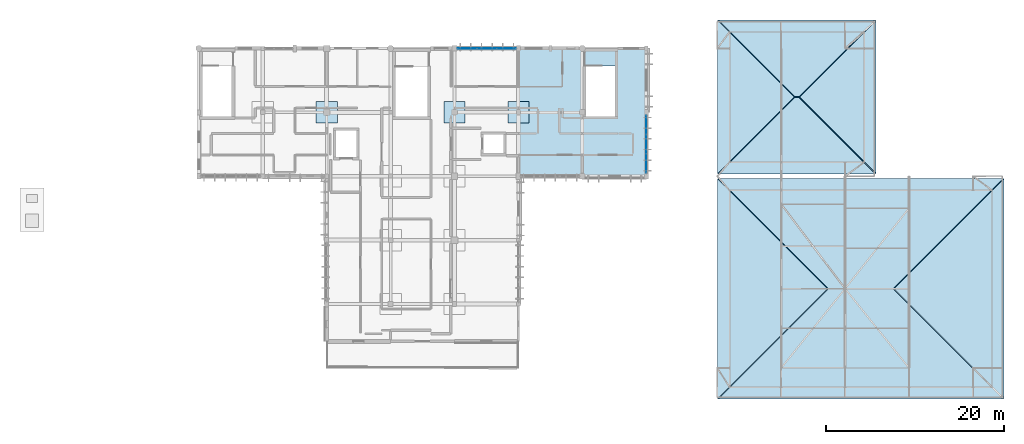
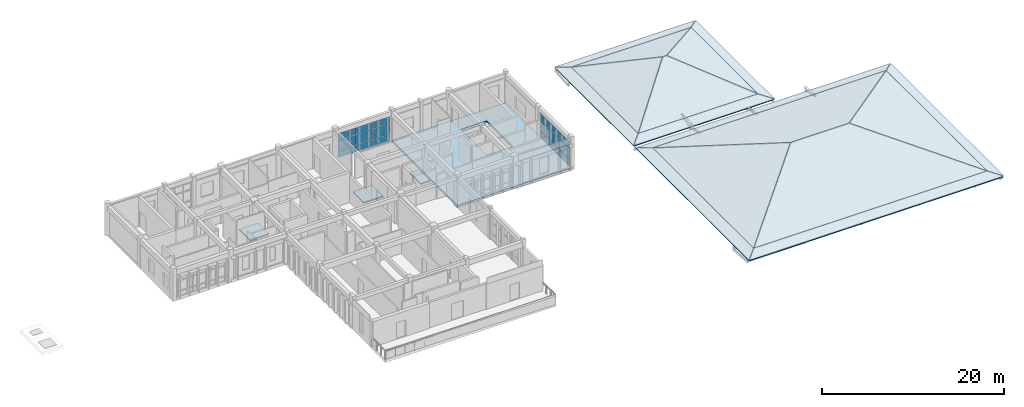
# One storey, part 12 of 19: 20 slabs, 18 plates, 4 elements without a shape of their own.
"""IFC4 building model written with IfcOpenShell, lengths in metres."""

from ifc_helpers import new_model, si_unit, direction, frame, origin, origin_2d, place, context, subcontext, project, spatial, polyline, rectangle, outline, extrude, material, layer, layer_set, type_object, element, aggregate, save


model = new_model("IFC4")

# Units and contexts
model_context = context("Model", 3, precision=1e-05, world=origin(), true_north=direction((0.0, 1.0)))
body_context = subcontext(model_context, "Body", "Model", "MODEL_VIEW")
ifc_project = project(units=[si_unit("LENGTHUNIT", "METRE"), si_unit("AREAUNIT", "SQUARE_METRE"), si_unit("VOLUMEUNIT", "CUBIC_METRE"), si_unit("PLANEANGLEUNIT", "RADIAN"), si_unit("MASSUNIT", "GRAM", prefix="KILO")], contexts=[model_context])

# Site, building, storey
site_placement = place(None, origin())
site = spatial("IfcSite", under=ifc_project, at=site_placement, CompositionType="ELEMENT")
building_placement = place(site_placement, origin())
building = spatial("IfcBuilding", under=site, at=building_placement, Name="Steenspoor Specialist Clinic", CompositionType="ELEMENT")
storey_placement = place(building_placement, frame((0.0, 0.0, 21.60009765625)))
storey = spatial("IfcBuildingStorey", under=building, at=storey_placement, Name="L05", CompositionType="ELEMENT", Elevation=21.60009765625)

# Curtain wall, plates
ifc_material_1 = material(Name="Thermally broken aluminium and low-emissivity glass", Category="aluminium")
curtain_wall_type_1 = type_object("IfcCurtainWallType", Name="CW-TYP-300X355", PredefinedType="USERDEFINED", material=ifc_material_1)
curtain_wall_1_placement = place(storey_placement, origin())
curtain_wall_1 = element("IfcCurtainWall", 1, at=curtain_wall_1_placement, inside=storey, type_object=curtain_wall_type_1, Name="Unitised Curtain Wall CW-V4-L05-135", ObjectType="UNITISED GLAZING", PredefinedType="USERDEFINED")
ifc_material_2 = material(Name="Double low-emissivity insulated glass", Category="glass")
ifc_layer_1 = layer(ifc_material_2, 0.035888671875)
ifc_layer_set_1 = layer_set([ifc_layer_1], Name="Double low-emissivity insulated glass")
plate_type_1 = type_object("IfcPlateType", Name="CW-PAN-GL36", PredefinedType="CURTAIN_PANEL", material=ifc_layer_set_1)
plate_1_placement = place(storey_placement, frame((89.828857421875, 108.35009765625, 0.080078125), z_axis=(0.0, 0.0, 1.0), x_axis=(1.0, 0.0, 0.0)))
plate_1 = element("IfcPlate", 2, at=plate_1_placement, type_object=plate_type_1, Name="CW-15 panel 1.1", PredefinedType="CURTAIN_PANEL", context=body_context, shape_type="SweptSolid", body=[
    extrude(rectangle(XDim=2.12744140625, YDim=0.035888671875, at=origin_2d()), origin(), (0.0, 0.0, 1.0), 0.780029296875),
])
plate_2_placement = place(storey_placement, frame((89.828857421875, 108.35009765625, 0.93994140625), z_axis=(0.0, 0.0, 1.0), x_axis=(1.0, 0.0, 0.0)))
plate_2 = element("IfcPlate", 3, at=plate_2_placement, type_object=plate_type_1, Name="CW-15 panel 1.2", PredefinedType="CURTAIN_PANEL", context=body_context, shape_type="SweptSolid", body=[
    extrude(rectangle(XDim=2.12744140625, YDim=0.035888671875, at=origin_2d()), origin(), (0.0, 0.0, 1.0), 1.3701171875),
])
plate_3_placement = place(storey_placement, frame((89.828857421875, 108.35009765625, 2.39013671875), z_axis=(0.0, 0.0, 1.0), x_axis=(1.0, 0.0, 0.0)))
plate_3 = element("IfcPlate", 4, at=plate_3_placement, type_object=plate_type_1, Name="CW-15 panel 1.3", PredefinedType="CURTAIN_PANEL", context=body_context, shape_type="SweptSolid", body=[
    extrude(rectangle(XDim=2.12744140625, YDim=0.035888671875, at=origin_2d()), origin(), (0.0, 0.0, 1.0), 0.909912109375),
])
plate_4_placement = place(storey_placement, frame((92.03759765625, 108.35009765625, 0.080078125), z_axis=(0.0, 0.0, 1.0), x_axis=(1.0, 0.0, 0.0)))
plate_4 = element("IfcPlate", 5, at=plate_4_placement, type_object=plate_type_1, Name="CW-15 panel 2.1", PredefinedType="CURTAIN_PANEL", context=body_context, shape_type="SweptSolid", body=[
    extrude(rectangle(XDim=2.159912109375, YDim=0.035888671875, at=origin_2d()), origin(), (0.0, 0.0, 1.0), 0.780029296875),
])
plate_5_placement = place(storey_placement, frame((92.03759765625, 108.35009765625, 0.93994140625), z_axis=(0.0, 0.0, 1.0), x_axis=(1.0, 0.0, 0.0)))
plate_5 = element("IfcPlate", 6, at=plate_5_placement, type_object=plate_type_1, Name="CW-15 panel 2.2", PredefinedType="CURTAIN_PANEL", context=body_context, shape_type="SweptSolid", body=[
    extrude(rectangle(XDim=2.159912109375, YDim=0.035888671875, at=origin_2d()), origin(), (0.0, 0.0, 1.0), 1.3701171875),
])
plate_6_placement = place(storey_placement, frame((92.03759765625, 108.35009765625, 2.39013671875), z_axis=(0.0, 0.0, 1.0), x_axis=(1.0, 0.0, 0.0)))
plate_6 = element("IfcPlate", 7, at=plate_6_placement, type_object=plate_type_1, Name="CW-15 panel 2.3", PredefinedType="CURTAIN_PANEL", context=body_context, shape_type="SweptSolid", body=[
    extrude(rectangle(XDim=2.159912109375, YDim=0.035888671875, at=origin_2d()), origin(), (0.0, 0.0, 1.0), 0.909912109375),
])
plate_7_placement = place(storey_placement, frame((94.246337890625, 108.35009765625, 0.080078125), z_axis=(0.0, 0.0, 1.0), x_axis=(1.0, 0.0, 0.0)))
plate_7 = element("IfcPlate", 8, at=plate_7_placement, type_object=plate_type_1, Name="CW-15 panel 3.1", PredefinedType="CURTAIN_PANEL", context=body_context, shape_type="SweptSolid", body=[
    extrude(rectangle(XDim=2.12744140625, YDim=0.035888671875, at=origin_2d()), origin(), (0.0, 0.0, 1.0), 0.780029296875),
])
plate_8_placement = place(storey_placement, frame((94.246337890625, 108.35009765625, 0.93994140625), z_axis=(0.0, 0.0, 1.0), x_axis=(1.0, 0.0, 0.0)))
plate_8 = element("IfcPlate", 9, at=plate_8_placement, type_object=plate_type_1, Name="CW-15 panel 3.2", PredefinedType="CURTAIN_PANEL", context=body_context, shape_type="SweptSolid", body=[
    extrude(rectangle(XDim=2.12744140625, YDim=0.035888671875, at=origin_2d()), origin(), (0.0, 0.0, 1.0), 1.3701171875),
])
plate_9_placement = place(storey_placement, frame((94.246337890625, 108.35009765625, 2.39013671875), z_axis=(0.0, 0.0, 1.0), x_axis=(1.0, 0.0, 0.0)))
plate_9 = element("IfcPlate", 10, at=plate_9_placement, type_object=plate_type_1, Name="CW-15 panel 3.3", PredefinedType="CURTAIN_PANEL", context=body_context, shape_type="SweptSolid", body=[
    extrude(rectangle(XDim=2.12744140625, YDim=0.035888671875, at=origin_2d()), origin(), (0.0, 0.0, 1.0), 0.909912109375),
])
aggregate(curtain_wall_1, [plate_1, plate_2, plate_3, plate_4, plate_5, plate_6, plate_7, plate_8, plate_9])

curtain_wall_type_2 = type_object("IfcCurtainWallType", Name="CW-TYP-240X355", PredefinedType="USERDEFINED", material=ifc_material_1)
curtain_wall_2_placement = place(storey_placement, origin())
curtain_wall_2 = element("IfcCurtainWall", 11, at=curtain_wall_2_placement, inside=storey, type_object=curtain_wall_type_2, Name="Unitised Curtain Wall CW-V4-L05-136", ObjectType="UNITISED GLAZING", PredefinedType="USERDEFINED")
ifc_material_3 = material(Name="Triple acoustic laminated low-emissivity glass", Category="glass")
ifc_layer_2 = layer(ifc_material_3, 0.048095703125)
ifc_layer_set_2 = layer_set([ifc_layer_2], Name="Triple acoustic laminated low-emissivity glass")
plate_type_2 = type_object("IfcPlateType", Name="CW-PAN-GL48", PredefinedType="CURTAIN_PANEL", material=ifc_layer_set_2)
plate_10_placement = place(storey_placement, frame((110.0, 99.7392578125, 0.06982421875), z_axis=(0.0, 0.0, 1.0), x_axis=(0.0, -1.0, 0.0)))
plate_10 = element("IfcPlate", 12, at=plate_10_placement, type_object=plate_type_2, Name="CW-16 panel 1.1", PredefinedType="CURTAIN_PANEL", context=body_context, shape_type="SweptSolid", body=[
    extrude(rectangle(XDim=2.1015625, YDim=0.048095703125, at=origin_2d()), origin(), (0.0, 0.0, 1.0), 0.794921875),
])
plate_11_placement = place(storey_placement, frame((110.0, 99.7392578125, 0.93505859375), z_axis=(0.0, 0.0, 1.0), x_axis=(0.0, -1.0, 0.0)))
plate_11 = element("IfcPlate", 13, at=plate_11_placement, type_object=plate_type_2, Name="CW-16 panel 1.2", PredefinedType="CURTAIN_PANEL", context=body_context, shape_type="SweptSolid", body=[
    extrude(rectangle(XDim=2.1015625, YDim=0.048095703125, at=origin_2d()), origin(), (0.0, 0.0, 1.0), 1.3798828125),
])
plate_12_placement = place(storey_placement, frame((110.0, 99.7392578125, 2.384765625), z_axis=(0.0, 0.0, 1.0), x_axis=(0.0, -1.0, 0.0)))
plate_12 = element("IfcPlate", 14, at=plate_12_placement, type_object=plate_type_2, Name="CW-16 panel 1.3", PredefinedType="CURTAIN_PANEL", context=body_context, shape_type="SweptSolid", body=[
    extrude(rectangle(XDim=2.1015625, YDim=0.048095703125, at=origin_2d()), origin(), (0.0, 0.0, 1.0), 0.925048828125),
])
plate_13_placement = place(storey_placement, frame((110.0, 97.5625, 0.06982421875), z_axis=(0.0, 0.0, 1.0), x_axis=(0.0, -1.0, 0.0)))
plate_13 = element("IfcPlate", 15, at=plate_13_placement, type_object=plate_type_2, Name="CW-16 panel 2.1", PredefinedType="CURTAIN_PANEL", context=body_context, shape_type="SweptSolid", body=[
    extrude(rectangle(XDim=2.131591796875, YDim=0.048095703125, at=origin_2d()), origin(), (0.0, 0.0, 1.0), 0.794921875),
])
plate_14_placement = place(storey_placement, frame((110.0, 97.5625, 0.93505859375), z_axis=(0.0, 0.0, 1.0), x_axis=(0.0, -1.0, 0.0)))
plate_14 = element("IfcPlate", 16, at=plate_14_placement, type_object=plate_type_2, Name="CW-16 panel 2.2", PredefinedType="CURTAIN_PANEL", context=body_context, shape_type="SweptSolid", body=[
    extrude(rectangle(XDim=2.131591796875, YDim=0.048095703125, at=origin_2d()), origin(), (0.0, 0.0, 1.0), 1.3798828125),
])
plate_15_placement = place(storey_placement, frame((110.0, 97.5625, 2.384765625), z_axis=(0.0, 0.0, 1.0), x_axis=(0.0, -1.0, 0.0)))
plate_15 = element("IfcPlate", 17, at=plate_15_placement, type_object=plate_type_2, Name="CW-16 panel 2.3", PredefinedType="CURTAIN_PANEL", context=body_context, shape_type="SweptSolid", body=[
    extrude(rectangle(XDim=2.131591796875, YDim=0.048095703125, at=origin_2d()), origin(), (0.0, 0.0, 1.0), 0.925048828125),
])
plate_16_placement = place(storey_placement, frame((110.0, 95.3857421875, 0.06982421875), z_axis=(0.0, 0.0, 1.0), x_axis=(0.0, -1.0, 0.0)))
plate_16 = element("IfcPlate", 18, at=plate_16_placement, type_object=plate_type_2, Name="CW-16 panel 3.1", PredefinedType="CURTAIN_PANEL", context=body_context, shape_type="SweptSolid", body=[
    extrude(rectangle(XDim=2.1015625, YDim=0.048095703125, at=origin_2d()), origin(), (0.0, 0.0, 1.0), 0.794921875),
])
plate_17_placement = place(storey_placement, frame((110.0, 95.3857421875, 0.93505859375), z_axis=(0.0, 0.0, 1.0), x_axis=(0.0, -1.0, 0.0)))
plate_17 = element("IfcPlate", 19, at=plate_17_placement, type_object=plate_type_2, Name="CW-16 panel 3.2", PredefinedType="CURTAIN_PANEL", context=body_context, shape_type="SweptSolid", body=[
    extrude(rectangle(XDim=2.1015625, YDim=0.048095703125, at=origin_2d()), origin(), (0.0, 0.0, 1.0), 1.3798828125),
])
plate_18_placement = place(storey_placement, frame((110.0, 95.3857421875, 2.384765625), z_axis=(0.0, 0.0, 1.0), x_axis=(0.0, -1.0, 0.0)))
plate_18 = element("IfcPlate", 20, at=plate_18_placement, type_object=plate_type_2, Name="CW-16 panel 3.3", PredefinedType="CURTAIN_PANEL", context=body_context, shape_type="SweptSolid", body=[
    extrude(rectangle(XDim=2.1015625, YDim=0.048095703125, at=origin_2d()), origin(), (0.0, 0.0, 1.0), 0.925048828125),
])
aggregate(curtain_wall_2, [plate_10, plate_11, plate_12, plate_13, plate_14, plate_15, plate_16, plate_17, plate_18])

# Slabs
ifc_material_4 = material(Name="Concrete C35/45", Category="concrete")
ifc_layer_3 = layer(ifc_material_4, 0.169921875)
ifc_layer_set_3 = layer_set([ifc_layer_3], Name="Concrete C35/45")
slab_type_1 = type_object("IfcSlabType", Name="SL-DROP-170", PredefinedType="USERDEFINED", material=ifc_layer_set_3)
slab_1_placement = place(storey_placement, frame((0.0, 0.0, -0.4501953125)))
element("IfcSlab", 21, at=slab_1_placement, inside=storey, type_object=slab_type_1, Name="Column Drop Panel DROP-V4-L05-085", ObjectType="DROP PANEL", PredefinedType="USERDEFINED", context=body_context, shape_type="SweptSolid", body=[
    extrude(outline(polyline([(75.199951171875, 99.949951171875), (75.199951171875, 102.35009765625), (72.800048828125, 102.35009765625), (72.800048828125, 99.949951171875), (75.199951171875, 99.949951171875)])), origin(), (0.0, 0.0, 1.0), 0.170166015625),
])
slab_2_placement = place(storey_placement, frame((0.0, 0.0, -0.4501953125)))
element("IfcSlab", 22, at=slab_2_placement, inside=storey, type_object=slab_type_1, Name="Column Drop Panel DROP-V4-L05-092", ObjectType="DROP PANEL", PredefinedType="USERDEFINED", context=body_context, shape_type="SweptSolid", body=[
    extrude(outline(polyline([(89.60009765625, 99.949951171875), (89.60009765625, 102.35009765625), (87.199951171875, 102.35009765625), (87.199951171875, 99.949951171875), (89.60009765625, 99.949951171875)])), origin(), (0.0, 0.0, 1.0), 0.170166015625),
])
slab_3_placement = place(storey_placement, frame((0.0, 0.0, -0.4501953125)))
element("IfcSlab", 23, at=slab_3_placement, inside=storey, type_object=slab_type_1, Name="Column Drop Panel DROP-V4-L05-093", ObjectType="DROP PANEL", PredefinedType="USERDEFINED", context=body_context, shape_type="SweptSolid", body=[
    extrude(outline(polyline([(96.800048828125, 99.949951171875), (96.800048828125, 102.35009765625), (94.39990234375, 102.35009765625), (94.39990234375, 99.949951171875), (96.800048828125, 99.949951171875)])), origin(), (0.0, 0.0, 1.0), 0.170166015625),
])
ifc_layer_4 = layer(ifc_material_4, 0.280029296875)
ifc_layer_set_4 = layer_set([ifc_layer_4], Name="Concrete C35/45")
slab_type_2 = type_object("IfcSlabType", Name="SL-HEAVY-280", PredefinedType="FLOOR", material=ifc_layer_set_4)
slab_4_placement = place(storey_placement, frame((0.0, 0.0, -0.280029296875)))
element("IfcSlab", 24, at=slab_4_placement, inside=storey, type_object=slab_type_2, Name="Structural Slab SLAB-V4-L05-034", PredefinedType="FLOOR", context=body_context, shape_type="SweptSolid", body=[
    extrude(outline(polyline([(110.0, 108.35009765625), (110.0, 93.949951171875), (95.60009765625, 93.949951171875), (95.60009765625, 108.35009765625), (110.0, 108.35009765625)]), holes=[polyline([(103.199951171875, 100.699951171875), (106.5, 100.699951171875), (106.5, 106.35009765625), (103.199951171875, 106.35009765625), (103.199951171875, 100.699951171875)])]), origin(), (0.0, 0.0, 1.0), 0.280029296875),
])

# Roof, slabs
ifc_material_5 = material(Name="Extruded terracotta clay roof tile", Category="masonry")
roof_type = type_object("IfcRoofType", Name="ROOF-HIP-TIER", PredefinedType="HIP_ROOF", material=ifc_material_5)
roof_1_placement = place(storey_placement, origin())
roof_1 = element("IfcRoof", 25, at=roof_1_placement, inside=storey, type_object=roof_type, Name="Tiered Hipped Roof V6", PredefinedType="HIP_ROOF")
ifc_layer_5 = layer(ifc_material_4, 0.14990234375)
ifc_layer_set_5 = layer_set([ifc_layer_5], Name="Concrete C35/45")
slab_type_3 = type_object("IfcSlabType", Name="SL-ROOF-150", PredefinedType="ROOF", material=ifc_layer_set_5)
slab_5_placement = place(storey_placement, frame((119.430419921875, 70.19091796875, 0.334228515625), z_axis=(0.0, -0.24187043214, 0.970308556108), x_axis=(-0.696437315013, -0.696310528682, -0.173570486847)))
slab_5 = element("IfcSlab", 26, at=slab_5_placement, type_object=slab_type_3, Name="Hipped Roof Slab RSLAB-V6-SKS", PredefinedType="ROOF", context=body_context, shape_type="SweptSolid", body=[
    extrude(outline(polyline([(0.0, 0.0), (1.9256068338331538, 1.249000902703301e-16), (-20.46563497557761, 23.07221279825132), (-20.523477184065243, 21.147645002511364), (0.0, 0.0)])), origin(), (0.0, 0.0, -1.0), 0.14990234375),
])
slab_6_placement = place(storey_placement, frame((148.899658203125, 92.37890625, 0.334228515625), z_axis=(0.0, 0.241828974952, 0.97031888927), x_axis=(0.696310528682, 0.696437315013, -0.173570486847)))
slab_6 = element("IfcSlab", 27, at=slab_6_placement, type_object=slab_type_3, Name="Hipped Roof Slab RSLAB-V6-SKN", PredefinedType="ROOF", context=body_context, shape_type="SweptSolid", body=[
    extrude(outline(polyline([(0.0, 0.0), (1.9256068338331538, 6.938893903907228e-17), (-20.461558652655814, 23.076168110322254), (-20.519740887472476, 21.151270382369017), (0.0, 0.0)])), origin(), (0.0, 0.0, -1.0), 0.14990234375),
])
slab_7_placement = place(storey_placement, frame((119.37109375, 92.319580078125, 0.334228515625), z_axis=(-0.241828974952, 0.0, 0.97031888927), x_axis=(-0.696375834221, 0.696375834221, -0.173555164218)))
slab_7 = element("IfcSlab", 28, at=slab_7_placement, type_object=slab_type_3, Name="Hipped Roof Slab RSLAB-V6-SKW", PredefinedType="ROOF", context=body_context, shape_type="SweptSolid", body=[
    extrude(outline(polyline([(0.0, 0.0), (1.92577683949304, -1.457167719820518e-16), (-15.310375125627981, 17.763389083450782), (-15.36838221054354, 15.838486069367374), (0.0, 0.0)])), origin(), (0.0, 0.0, -1.0), 0.14990234375),
])
slab_8_placement = place(storey_placement, frame((148.958984375, 70.25048828125, 0.334228515625), z_axis=(0.241828974952, 0.0, 0.97031888927), x_axis=(0.696375834221, -0.696375834221, -0.173555164218)))
slab_8 = element("IfcSlab", 29, at=slab_8_placement, type_object=slab_type_3, Name="Hipped Roof Slab RSLAB-V6-SKE", PredefinedType="ROOF", context=body_context, shape_type="SweptSolid", body=[
    extrude(outline(polyline([(0.0, 0.0), (1.92577683949304, -1.457167719820518e-16), (-15.310375125627981, 17.763389083450782), (-15.36838221054354, 15.838486069367374), (0.0, 0.0)])), origin(), (0.0, 0.0, -1.0), 0.14990234375),
])
slab_9_placement = place(storey_placement, frame((148.881591796875, 70.208984375, 0.33935546875), z_axis=(0.0, -0.306048046232, 0.952016067825), x_axis=(-0.689516580438, 0.689516580438, 0.221661387259)))
slab_9 = element("IfcSlab", 30, at=slab_9_placement, type_object=slab_type_3, Name="Hipped Roof Slab RSLAB-V6-S", PredefinedType="ROOF", context=body_context, shape_type="SweptSolid", body=[
    extrude(outline(polyline([(0.0, 0.0), (16.002422363597695, -4.440892098500626e-16), (21.080873583973275, 5.334417550299886), (20.294614234488172, 21.317512298762054), (0.0, 0.0)])), origin(), (0.0, 0.0, -1.0), 0.14990234375),
])
slab_10_placement = place(storey_placement, frame((119.448486328125, 92.361083984375, 0.33935546875), z_axis=(0.0, 0.306041908901, 0.952018040793), x_axis=(0.689509327037, -0.689524583356, 0.221659055482)))
slab_10 = element("IfcSlab", 31, at=slab_10_placement, type_object=slab_type_3, Name="Hipped Roof Slab RSLAB-V6-N", PredefinedType="ROOF", context=body_context, shape_type="SweptSolid", body=[
    extrude(outline(polyline([(0.0, 0.0), (16.002590703583515, 8.881784197001252e-16), (21.080988500958888, 5.334468409344515), (20.294400744364243, 21.31771554275245), (0.0, 0.0)])), origin(), (0.0, 0.0, -1.0), 0.14990234375),
])
slab_11_placement = place(storey_placement, frame((130.405517578125, 81.284912109375, 3.880859375), z_axis=(-0.306044692798, 0.0, 0.952017145859), x_axis=(-0.689516990013, 0.689516990013, -0.221658839135)))
slab_11 = element("IfcSlab", 32, at=slab_11_placement, type_object=slab_type_3, Name="Hipped Roof Slab RSLAB-V6-W", PredefinedType="ROOF", context=body_context, shape_type="SweptSolid", body=[
    extrude(outline(polyline([(0.0, 0.0), (15.977273543747659, -1.1102230246251565e-16), (0.785005644651564, 15.957977191035338), (0.0, 0.0)])), origin(), (0.0, 0.0, -1.0), 0.14990234375),
])
slab_12_placement = place(storey_placement, frame((137.92431640625, 81.284912109375, 3.880859375), z_axis=(0.306044692798, 0.0, 0.952017145859), x_axis=(0.689516990013, -0.689516990013, -0.221658839135)))
slab_12 = element("IfcSlab", 33, at=slab_12_placement, type_object=slab_type_3, Name="Hipped Roof Slab RSLAB-V6-E", PredefinedType="ROOF", context=body_context, shape_type="SweptSolid", body=[
    extrude(outline(polyline([(0.0, 0.0), (15.977273543747659, -1.1102230246251565e-16), (0.785005644651564, 15.957977191035338), (0.0, 0.0)])), origin(), (0.0, 0.0, -1.0), 0.14990234375),
])
aggregate(roof_1, [slab_5, slab_6, slab_7, slab_8, slab_9, slab_10, slab_11, slab_12])

roof_2_placement = place(storey_placement, origin())
roof_2 = element("IfcRoof", 34, at=roof_2_placement, inside=storey, type_object=roof_type, Name="Tiered Hipped Roof V6N", PredefinedType="HIP_ROOF")
slab_13_placement = place(storey_placement, frame((119.430419921875, 95.52099609375, 0.334228515625), z_axis=(0.0, -0.241828974952, 0.97031888927), x_axis=(-0.696375834221, -0.696375834221, -0.173555164218)))
slab_13 = element("IfcSlab", 35, at=slab_13_placement, type_object=slab_type_3, Name="Hipped Roof Slab RSLAB-V6N-SKS", PredefinedType="ROOF", context=body_context, shape_type="SweptSolid", body=[
    extrude(outline(polyline([(0.0, 0.0), (1.92577683949304, -3.469446951953614e-17), (-10.435744286082604, 12.739648029400215), (-10.493751370998163, 10.814745015316802), (0.0, 0.0)])), origin(), (0.0, 0.0, -1.0), 0.14990234375),
])
slab_14_placement = place(storey_placement, frame((134.49951171875, 110.208984375, 0.334228515625), z_axis=(0.0, 0.241828974952, 0.97031888927), x_axis=(0.696375834221, 0.696375834221, -0.173555164218)))
slab_14 = element("IfcSlab", 36, at=slab_14_placement, type_object=slab_type_3, Name="Hipped Roof Slab RSLAB-V6N-SKN", PredefinedType="ROOF", context=body_context, shape_type="SweptSolid", body=[
    extrude(outline(polyline([(0.0, 0.0), (1.92577683949304, -3.469446951953614e-17), (-10.435744286082604, 12.739648029400215), (-10.493751370998163, 10.814745015316802), (0.0, 0.0)])), origin(), (0.0, 0.0, -1.0), 0.14990234375),
])
slab_15_placement = place(storey_placement, frame((119.37109375, 110.149658203125, 0.334228515625), z_axis=(-0.241828974952, 0.0, 0.97031888927), x_axis=(-0.696437315013, 0.696310528682, -0.173570486847)))
slab_15 = element("IfcSlab", 37, at=slab_15_placement, type_object=slab_type_3, Name="Hipped Roof Slab RSLAB-V6N-SKW", PredefinedType="ROOF", context=body_context, shape_type="SweptSolid", body=[
    extrude(outline(polyline([(0.0, 0.0), (1.9256068338331538, 6.938893903907228e-17), (-10.086429776681694, 12.381727215036491), (-10.144782009186018, 10.45700471673532), (0.0, 0.0)])), origin(), (0.0, 0.0, -1.0), 0.14990234375),
])
slab_16_placement = place(storey_placement, frame((134.55908203125, 95.580322265625, 0.334228515625), z_axis=(0.24187043214, 0.0, 0.970308556108), x_axis=(0.696372014565, -0.696372014565, -0.173585813536)))
slab_16 = element("IfcSlab", 38, at=slab_16_placement, type_object=slab_type_3, Name="Hipped Roof Slab RSLAB-V6N-SKE", PredefinedType="ROOF", context=body_context, shape_type="SweptSolid", body=[
    extrude(outline(polyline([(0.0, 0.0), (1.9254368131626876, 1.3877787807814457e-17), (-10.087660488881596, 12.380698105177295), (-10.14567781767329, 10.456135580591003), (0.0, 0.0)])), origin(), (0.0, 0.0, -1.0), 0.14990234375),
])
slab_17_placement = place(storey_placement, frame((134.481689453125, 95.5390625, 0.340576171875), z_axis=(0.0, -0.406496445793, 0.913652362531), x_axis=(-0.674526797075, 0.674504189259, 0.300096149094)))
slab_17 = element("IfcSlab", 39, at=slab_17_placement, type_object=slab_type_3, Name="Hipped Roof Slab RSLAB-V6N-S", PredefinedType="ROOF", context=body_context, shape_type="SweptSolid", body=[
    extrude(outline(polyline([(0.0, 0.0), (10.798947824003452, -7.771561172376096e-16), (11.112662069224882, 0.3433513045718045), (10.140298353677048, 11.098267679954576), (0.0, 0.0)])), origin(), (0.0, 0.0, -1.0), 0.14990234375),
])
slab_18_placement = place(storey_placement, frame((119.448486328125, 110.19091796875, 0.340576171875), z_axis=(0.0, 0.406496445793, 0.913652362531), x_axis=(0.674514475226, -0.674514475226, 0.300100725461)))
slab_18 = element("IfcSlab", 40, at=slab_18_placement, type_object=slab_type_3, Name="Hipped Roof Slab RSLAB-V6N-N", PredefinedType="ROOF", context=body_context, shape_type="SweptSolid", body=[
    extrude(outline(polyline([(0.0, 0.0), (10.798783146113756, 4.440892098500626e-16), (11.112491660592418, 0.34335654056622245), (10.140113116817872, 11.098436924884872), (0.0, 0.0)])), origin(), (0.0, 0.0, -1.0), 0.14990234375),
])
slab_19_placement = place(storey_placement, frame((126.655517578125, 102.864990234375, 3.573486328125), z_axis=(-0.406485910857, 0.0, 0.913657049595), x_axis=(-0.674516361176, 0.674516361176, -0.300092247503)))
slab_19 = element("IfcSlab", 41, at=slab_19_placement, type_object=slab_type_3, Name="Hipped Roof Slab RSLAB-V6N-W", PredefinedType="ROOF", context=body_context, shape_type="SweptSolid", body=[
    extrude(outline(polyline([(0.0, 0.0), (10.773054562873025, 2.220446049250313e-16), (0.9701712747658334, 10.729281071547083), (0.0, 0.0)])), origin(), (0.0, 0.0, -1.0), 0.14990234375),
])
slab_20_placement = place(storey_placement, frame((127.2744140625, 102.864990234375, 3.573486328125), z_axis=(0.406485910857, 0.0, 0.913657049595), x_axis=(0.674516361176, -0.674516361176, -0.300092247503)))
slab_20 = element("IfcSlab", 42, at=slab_20_placement, type_object=slab_type_3, Name="Hipped Roof Slab RSLAB-V6N-E", PredefinedType="ROOF", context=body_context, shape_type="SweptSolid", body=[
    extrude(outline(polyline([(0.0, 0.0), (10.773054562873025, 2.220446049250313e-16), (0.9701712747658334, 10.729281071547083), (0.0, 0.0)])), origin(), (0.0, 0.0, -1.0), 0.14990234375),
])
aggregate(roof_2, [slab_13, slab_14, slab_15, slab_16, slab_17, slab_18, slab_19, slab_20])

save(model, "model.ifc")
